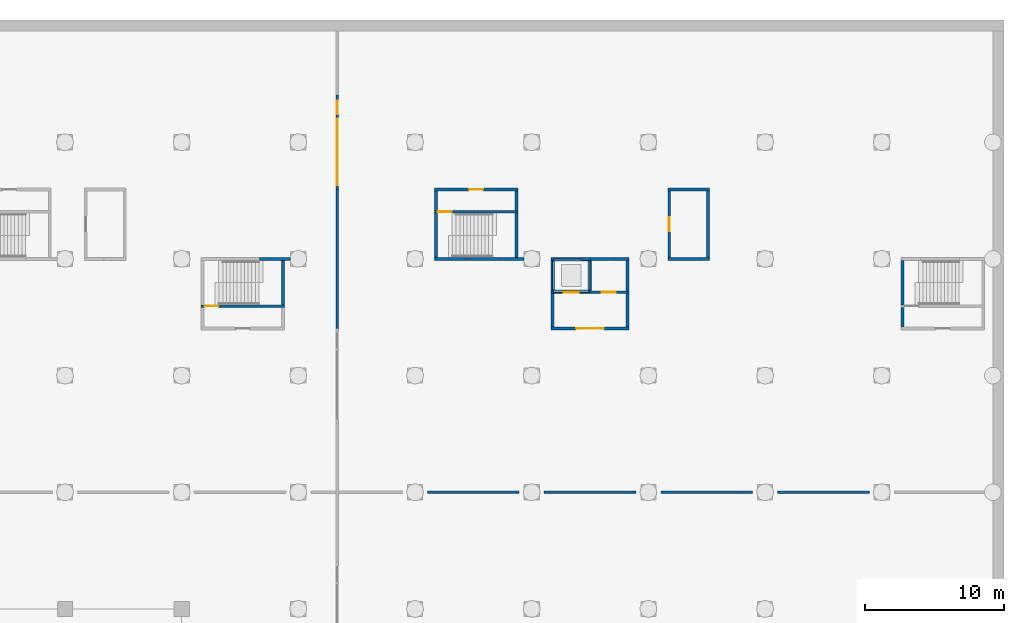
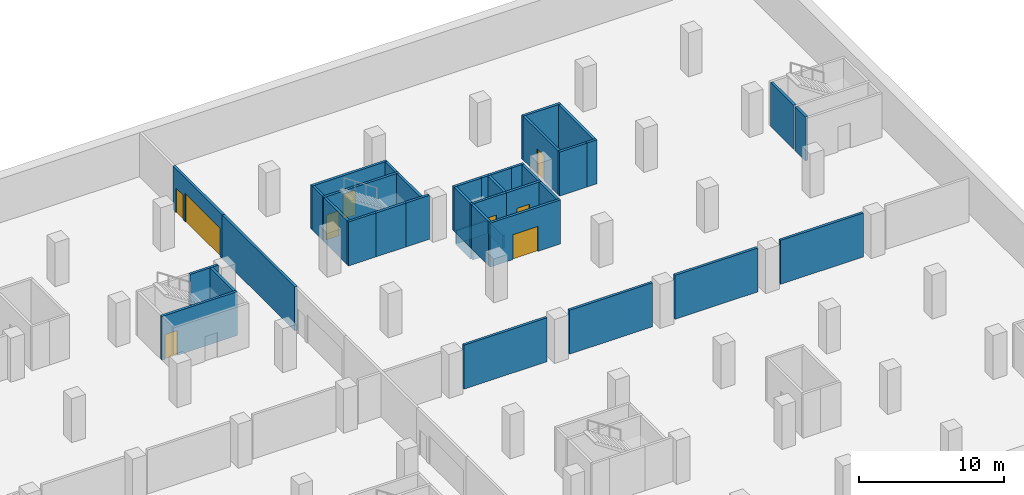
# One storey, part 11 of 19: 41 walls, 9 doors, 9 openings.
"""IFC4 building model written with IfcOpenShell, lengths in metres."""

from ifc_helpers import new_model, si_unit, direction, frame, frame_2d, origin, place, context, subcontext, project, spatial, rectangle, extrude, material, layer, layer_set, type_object, element, fill, save


model = new_model("IFC4")

# Units and contexts
model_context = context("Model", 3, precision=1e-05, world=origin(), true_north=direction((0.0, 1.0)))
body_context = subcontext(model_context, "Body", "Model", "MODEL_VIEW")
ifc_project = project(units=[si_unit("LENGTHUNIT", "METRE"), si_unit("AREAUNIT", "SQUARE_METRE"), si_unit("VOLUMEUNIT", "CUBIC_METRE"), si_unit("PLANEANGLEUNIT", "RADIAN"), si_unit("MASSUNIT", "GRAM", prefix="KILO")], contexts=[model_context])

# Site, building, storey
site_placement = place(None, origin())
site = spatial("IfcSite", under=ifc_project, at=site_placement, CompositionType="ELEMENT")
building_placement = place(site_placement, origin())
building = spatial("IfcBuilding", under=site, at=building_placement, Name="Vermilion Gate Residences", CompositionType="ELEMENT")
storey_placement = place(building_placement, frame((0.0, 0.0, -8.0)))
storey = spatial("IfcBuildingStorey", under=building, at=storey_placement, Name="B2", CompositionType="ELEMENT", Elevation=-8.0)

# Wall, opening, door
ifc_material_1 = material(Name="Concrete blockwork", Category="masonry")
ifc_layer_1 = layer(ifc_material_1, 0.199951171875)
ifc_layer_set_1 = layer_set([ifc_layer_1], Name="FIRE WALL 200 EI 120 (AMENITY)")
wall_type_1 = type_object("IfcWallType", Name="FIRE WALL 200 EI 120 (AMENITY)", PredefinedType="PARTITIONING", material=ifc_layer_set_1)
wall_1_placement = place(storey_placement, frame((102.300048828125, 84.10009765625, 0.0), z_axis=(0.0, 0.0, 1.0), x_axis=(0.0, 1.0, 0.0)))
wall_1 = element("IfcWall", 1, at=wall_1_placement, inside=storey, type_object=wall_type_1, Name="Fire-resisting wall 172", PredefinedType="PARTITIONING", context=body_context, shape_type="SweptSolid", body=[
    extrude(rectangle(XDim=4.7998046875, YDim=0.199951171875, at=frame_2d((2.39990234375, 0.0))), origin(), (0.0, 0.0, 1.0), 3.699951171875),
])
opening_1_placement = place(wall_1_placement, frame((1.89990234375, 0.0, 0.0)))
opening_1 = element("IfcOpeningElement", 2, at=opening_1_placement, cuts=wall_1, Name="Opening DMB2047", PredefinedType="OPENING", context=body_context, shape_type="SweptSolid", body=[
    extrude(rectangle(XDim=1.0, YDim=2.10009765625, at=frame_2d((0.5, 1.050048828125))), frame((0.0, 0.10986328125, 0.0), z_axis=(0.0, -1.0, 0.0), x_axis=(1.0, 0.0, 0.0)), (0.0, 0.0, 1.0), 0.219970703125),
])
ifc_material_2 = material(Name="Steel", Category="steel")
door_type_1 = type_object("IfcDoorType", Name="DOOR 1000 X 2100 FD60 (AMENITY)", OperationType="SINGLE_SWING_LEFT", PredefinedType="DOOR", material=ifc_material_2)
door_1_placement = place(opening_1_placement, origin())
door_1 = element("IfcDoor", 3, at=door_1_placement, inside=storey, type_object=door_type_1, Name="Door B2 47", OperationType="SINGLE_SWING_LEFT", OverallHeight=2.10009765625, OverallWidth=1.0, PredefinedType="DOOR", context=body_context, shape_type="SweptSolid", body=[
    extrude(rectangle(XDim=1.0, YDim=2.10009765625, at=frame_2d((0.5, 1.050048828125))), frame((0.0, 0.02490234375, 0.0), z_axis=(0.0, -1.0, 0.0), x_axis=(1.0, 0.0, 0.0)), (0.0, 0.0, 1.0), 0.050048828125),
])
fill(opening_1, door_1)

# Walls
wall_2_placement = place(storey_placement, frame((102.199951171875, 84.0, 0.0), z_axis=(0.0, 0.0, 1.0), x_axis=(1.0, 0.0, 0.0)))
element("IfcWall", 4, at=wall_2_placement, inside=storey, type_object=wall_type_1, Name="Fire-resisting wall 173", PredefinedType="PARTITIONING", context=body_context, shape_type="SweptSolid", body=[
    extrude(rectangle(XDim=2.199951171875, YDim=0.199951171875, at=frame_2d((1.10009765625, 0.0))), origin(), (0.0, 0.0, 1.0), 3.699951171875),
])
wall_3_placement = place(storey_placement, frame((102.199951171875, 89.0, 0.0), z_axis=(0.0, 0.0, 1.0), x_axis=(1.0, 0.0, 0.0)))
element("IfcWall", 5, at=wall_3_placement, inside=storey, type_object=wall_type_1, Name="Fire-resisting wall 174", PredefinedType="PARTITIONING", context=body_context, shape_type="SweptSolid", body=[
    extrude(rectangle(XDim=3.0, YDim=0.199951171875, at=frame_2d((1.5, 0.0))), origin(), (0.0, 0.0, 1.0), 3.699951171875),
])
wall_4_placement = place(storey_placement, frame((104.39990234375, 84.0, 0.0), z_axis=(0.0, 0.0, 1.0), x_axis=(1.0, 0.0, 0.0)))
element("IfcWall", 6, at=wall_4_placement, inside=storey, type_object=wall_type_1, Name="Fire-resisting wall 176", PredefinedType="PARTITIONING", context=body_context, shape_type="SweptSolid", body=[
    extrude(rectangle(XDim=0.800048828125, YDim=0.199951171875, at=frame_2d((0.39990234375, 0.0))), origin(), (0.0, 0.0, 1.0), 3.699951171875),
])
wall_5_placement = place(storey_placement, frame((105.10009765625, 84.10009765625, 0.0), z_axis=(0.0, 0.0, 1.0), x_axis=(0.0, 1.0, 0.0)))
element("IfcWall", 7, at=wall_5_placement, inside=storey, type_object=wall_type_1, Name="Fire-resisting wall 178", PredefinedType="PARTITIONING", context=body_context, shape_type="SweptSolid", body=[
    extrude(rectangle(XDim=4.7998046875, YDim=0.199951171875, at=frame_2d((2.39990234375, 0.0))), origin(), (0.0, 0.0, 1.0), 3.699951171875),
])
ifc_material_3 = material(Name="Concrete blockwork", Category="masonry")
ifc_layer_2 = layer(ifc_material_3, 0.199951171875)
ifc_layer_set_2 = layer_set([ifc_layer_2], Name="GARAGE FIRE WALL 200 EI 120 (AMENITY)")
wall_type_2 = type_object("IfcWallType", Name="GARAGE FIRE WALL 200 EI 120 (AMENITY)", PredefinedType="PARTITIONING", material=ifc_layer_set_2)
wall_6_placement = place(storey_placement, frame((78.39990234375, 79.0, 0.0), z_axis=(0.0, 0.0, 1.0), x_axis=(0.0, 1.0, 0.0)))
element("IfcWall", 8, at=wall_6_placement, inside=storey, type_object=wall_type_2, Name="Fire compartment wall", PredefinedType="PARTITIONING", context=body_context, shape_type="SweptSolid", body=[
    extrude(rectangle(XDim=10.0, YDim=0.199951171875, at=frame_2d((5.0, 0.0))), origin(), (0.0, 0.0, 1.0), 3.699951171875),
])

# Wall, openings, doors
wall_7_placement = place(storey_placement, frame((78.39990234375, 89.0, 0.0), z_axis=(0.0, 0.0, 1.0), x_axis=(0.0, 1.0, 0.0)))
wall_7 = element("IfcWall", 9, at=wall_7_placement, inside=storey, type_object=wall_type_2, Name="Fire compartment wall", PredefinedType="PARTITIONING", context=body_context, shape_type="SweptSolid", body=[
    extrude(rectangle(XDim=6.800048828125, YDim=0.199951171875, at=frame_2d((3.39990234375, 0.0))), origin(), (0.0, 0.0, 1.0), 3.699951171875),
])
opening_2_placement = place(wall_7_placement, frame((0.300048828125, 0.0, 0.0)))
opening_2 = element("IfcOpeningElement", 10, at=opening_2_placement, cuts=wall_7, Name="Opening DGB2023", PredefinedType="OPENING", context=body_context, shape_type="SweptSolid", body=[
    extrude(rectangle(XDim=4.800048828125, YDim=2.39990234375, at=frame_2d((2.39990234375, 1.199951171875))), frame((0.0, 0.10986328125, 0.0), z_axis=(0.0, -1.0, 0.0), x_axis=(1.0, 0.0, 0.0)), (0.0, 0.0, 1.0), 0.219970703125),
])
opening_3_placement = place(wall_7_placement, frame((5.39990234375, 0.0, 0.0)))
opening_3 = element("IfcOpeningElement", 11, at=opening_3_placement, cuts=wall_7, Name="Opening DGB2024", PredefinedType="OPENING", context=body_context, shape_type="SweptSolid", body=[
    extrude(rectangle(XDim=1.0, YDim=2.10009765625, at=frame_2d((0.5, 1.050048828125))), frame((0.0, 0.10986328125, 0.0), z_axis=(0.0, -1.0, 0.0), x_axis=(1.0, 0.0, 0.0)), (0.0, 0.0, 1.0), 0.219970703125),
])
ifc_material_4 = material(Name="Steel", Category="steel")
door_type_2 = type_object("IfcDoorType", Name="DOOR 1000 X 2100 FD120 (AMENITY)", OperationType="SINGLE_SWING_LEFT", PredefinedType="DOOR", material=ifc_material_4)
door_2_placement = place(opening_3_placement, frame((1.0, 0.0, 0.0), z_axis=(0.0, 0.0, 1.0), x_axis=(-1.0, 0.0, 0.0)))
door_2 = element("IfcDoor", 12, at=door_2_placement, inside=storey, type_object=door_type_2, Name="Fire door", OperationType="SINGLE_SWING_RIGHT", OverallHeight=2.10009765625, OverallWidth=1.0, PredefinedType="DOOR", context=body_context, shape_type="SweptSolid", body=[
    extrude(rectangle(XDim=1.0, YDim=2.10009765625, at=frame_2d((0.5, 1.050048828125))), frame((0.0, 0.02490234375, 0.0), z_axis=(0.0, -1.0, 0.0), x_axis=(1.0, 0.0, 0.0)), (0.0, 0.0, 1.0), 0.050048828125),
])
fill(opening_3, door_2)
ifc_material_5 = material(Name="Steel", Category="steel")
door_type_3 = type_object("IfcDoorType", Name="FIRE SHUTTER 4800 X 2400 (AMENITY)", OperationType="ROLLINGUP", PredefinedType="GATE", material=ifc_material_5)
door_3_placement = place(opening_2_placement, origin())
door_3 = element("IfcDoor", 13, at=door_3_placement, inside=storey, type_object=door_type_3, Name="Fire shutter", OperationType="ROLLINGUP", OverallHeight=2.39990234375, OverallWidth=4.800048828125, PredefinedType="GATE", context=body_context, shape_type="SweptSolid", body=[
    extrude(rectangle(XDim=4.800048828125, YDim=2.39990234375, at=frame_2d((2.39990234375, 1.199951171875))), frame((0.0, 0.02490234375, 0.0), z_axis=(0.0, -1.0, 0.0), x_axis=(1.0, 0.0, 0.0)), (0.0, 0.0, 1.0), 0.050048828125),
])
fill(opening_2, door_3)

# Walls
wall_8_placement = place(storey_placement, frame((84.89990234375, 67.199951171875, 0.0), z_axis=(0.0, 0.0, 1.0), x_axis=(1.0, 0.0, 0.0)))
element("IfcWall", 14, at=wall_8_placement, inside=storey, type_object=wall_type_2, Name="Fire compartment wall", PredefinedType="PARTITIONING", context=body_context, shape_type="SweptSolid", body=[
    extrude(rectangle(XDim=6.60009765625, YDim=0.199951171875, at=frame_2d((3.300048828125, 0.0))), origin(), (0.0, 0.0, 1.0), 3.699951171875),
])
wall_9_placement = place(storey_placement, frame((93.300048828125, 67.199951171875, 0.0), z_axis=(0.0, 0.0, 1.0), x_axis=(1.0, 0.0, 0.0)))
element("IfcWall", 15, at=wall_9_placement, inside=storey, type_object=wall_type_2, Name="Fire compartment wall", PredefinedType="PARTITIONING", context=body_context, shape_type="SweptSolid", body=[
    extrude(rectangle(XDim=6.599853515625, YDim=0.199951171875, at=frame_2d((3.2998046875, 0.0))), origin(), (0.0, 0.0, 1.0), 3.699951171875),
])
wall_10_placement = place(storey_placement, frame((101.699951171875, 67.199951171875, 0.0), z_axis=(0.0, 0.0, 1.0), x_axis=(1.0, 0.0, 0.0)))
element("IfcWall", 16, at=wall_10_placement, inside=storey, type_object=wall_type_2, Name="Fire compartment wall", PredefinedType="PARTITIONING", context=body_context, shape_type="SweptSolid", body=[
    extrude(rectangle(XDim=6.60009765625, YDim=0.199951171875, at=frame_2d((3.300048828125, 0.0))), origin(), (0.0, 0.0, 1.0), 3.699951171875),
])
wall_11_placement = place(storey_placement, frame((110.10009765625, 67.199951171875, 0.0), z_axis=(0.0, 0.0, 1.0), x_axis=(1.0, 0.0, 0.0)))
element("IfcWall", 17, at=wall_11_placement, inside=storey, type_object=wall_type_2, Name="Fire compartment wall", PredefinedType="PARTITIONING", context=body_context, shape_type="SweptSolid", body=[
    extrude(rectangle(XDim=6.599853515625, YDim=0.199951171875, at=frame_2d((3.2998046875, 0.0))), origin(), (0.0, 0.0, 1.0), 3.699951171875),
])
ifc_material_6 = material(Name="Concrete C40", Category="concrete")
ifc_layer_3 = layer(ifc_material_6, 0.14990234375)
ifc_layer_set_3 = layer_set([ifc_layer_3], Name="LIFT PIT WALL 150 (AMENITY)")
wall_type_3 = type_object("IfcWallType", Name="LIFT PIT WALL 150 (AMENITY)", PredefinedType="SOLIDWALL", material=ifc_layer_set_3)
for number, where, z_axis, x_axis, name in (
    (18, (93.97509765625, 81.675048828125, -1.10009765625), (0.0, 0.0, 1.0), (1.0, 0.0, 0.0), "Lift pit wall G2.1"),
    (19, (93.97509765625, 83.925048828125, -1.10009765625), (0.0, 0.0, 1.0), (1.0, 0.0, 0.0), "Lift pit wall G2.1"),
):
    element("IfcWall", number, at=place(storey_placement, frame(where, z_axis=z_axis, x_axis=x_axis)), inside=storey, type_object=wall_type_3, Name=name, PredefinedType="SOLIDWALL", context=body_context, shape_type="SweptSolid", body=[
        extrude(rectangle(XDim=2.5498046875, YDim=0.14990234375, at=frame_2d((1.27490234375, 0.0))), origin(), (0.0, 0.0, 1.0), 1.10009765625),
    ])
for number, where, z_axis, x_axis, name in (
    (20, (93.97509765625, 81.75, -1.10009765625), (0.0, 0.0, 1.0), (0.0, 1.0, 0.0), "Lift pit wall G2.1"),
    (21, (96.52490234375, 81.75, -1.10009765625), (0.0, 0.0, 1.0), (0.0, 1.0, 0.0), "Lift pit wall G2.1"),
):
    element("IfcWall", number, at=place(storey_placement, frame(where, z_axis=z_axis, x_axis=x_axis)), inside=storey, type_object=wall_type_3, Name=name, PredefinedType="SOLIDWALL", context=body_context, shape_type="SweptSolid", body=[
        extrude(rectangle(XDim=2.10009765625, YDim=0.14990234375, at=frame_2d((1.050048828125, 0.0))), origin(), (0.0, 0.0, 1.0), 1.10009765625),
    ])

# Wall, opening, door
ifc_material_7 = material(Name="Concrete C40", Category="concrete")
ifc_layer_4 = layer(ifc_material_7, 0.199951171875)
ifc_layer_set_4 = layer_set([ifc_layer_4], Name="RC STAIR AND SHAFT WALL 200 EI 180 C40 (AMENITY)")
wall_type_4 = type_object("IfcWallType", Name="RC STAIR AND SHAFT WALL 200 EI 180 C40 (AMENITY)", PredefinedType="SOLIDWALL", material=ifc_layer_set_4)
wall_12_placement = place(storey_placement, frame((68.60009765625, 80.60009765625, 0.0), z_axis=(0.0, 0.0, 1.0), x_axis=(1.0, 0.0, 0.0)))
wall_12 = element("IfcWall", 22, at=wall_12_placement, inside=storey, type_object=wall_type_4, Name="Stair and shaft wall 129", PredefinedType="SOLIDWALL", context=body_context, shape_type="SweptSolid", body=[
    extrude(rectangle(XDim=6.0, YDim=0.199951171875, at=frame_2d((3.0, 0.0))), origin(), (0.0, 0.0, 1.0), 3.699951171875),
])
opening_4_placement = place(wall_12_placement, frame((0.25, 0.0, 0.0)))
opening_4 = element("IfcOpeningElement", 23, at=opening_4_placement, cuts=wall_12, Name="Opening DMB2026", PredefinedType="OPENING", context=body_context, shape_type="SweptSolid", body=[
    extrude(rectangle(XDim=1.0, YDim=2.10009765625, at=frame_2d((0.5, 1.050048828125))), frame((0.0, 0.10986328125, 0.0), z_axis=(0.0, -1.0, 0.0), x_axis=(1.0, 0.0, 0.0)), (0.0, 0.0, 1.0), 0.219970703125),
])
door_4_placement = place(opening_4_placement, origin())
door_4 = element("IfcDoor", 24, at=door_4_placement, inside=storey, type_object=door_type_1, Name="Door B2 26", OperationType="SINGLE_SWING_RIGHT", OverallHeight=2.10009765625, OverallWidth=1.0, PredefinedType="DOOR", context=body_context, shape_type="SweptSolid", body=[
    extrude(rectangle(XDim=1.0, YDim=2.10009765625, at=frame_2d((0.5, 1.050048828125))), frame((0.0, 0.02490234375, 0.0), z_axis=(0.0, -1.0, 0.0), x_axis=(1.0, 0.0, 0.0)), (0.0, 0.0, 1.0), 0.050048828125),
])
fill(opening_4, door_4)

# Walls
wall_13_placement = place(storey_placement, frame((72.800048828125, 84.0, 0.0), z_axis=(0.0, 0.0, 1.0), x_axis=(1.0, 0.0, 0.0)))
element("IfcWall", 25, at=wall_13_placement, inside=storey, type_object=wall_type_4, Name="Stair and shaft wall 133", PredefinedType="SOLIDWALL", context=body_context, shape_type="SweptSolid", body=[
    extrude(rectangle(XDim=2.25, YDim=0.199951171875, at=frame_2d((1.125, 0.0))), origin(), (0.0, 0.0, 1.0), 3.699951171875),
])
for number, where, z_axis, x_axis, name in (
    (26, (74.5, 80.699951171875, 0.0), (0.0, 0.0, 1.0), (0.0, 1.0, 0.0), "Stair and shaft wall 138"),
    (27, (85.5, 84.10009765625, 0.0), (0.0, 0.0, 1.0), (0.0, 1.0, 0.0), "Stair and shaft wall 144"),
):
    element("IfcWall", number, at=place(storey_placement, frame(where, z_axis=z_axis, x_axis=x_axis)), inside=storey, type_object=wall_type_4, Name=name, PredefinedType="SOLIDWALL", context=body_context, shape_type="SweptSolid", body=[
        extrude(rectangle(XDim=3.199951171875, YDim=0.199951171875, at=frame_2d((1.60009765625, 0.0))), origin(), (0.0, 0.0, 1.0), 3.699951171875),
    ])
wall_14_placement = place(storey_placement, frame((85.39990234375, 84.0, 0.0), z_axis=(0.0, 0.0, 1.0), x_axis=(1.0, 0.0, 0.0)))
element("IfcWall", 28, at=wall_14_placement, inside=storey, type_object=wall_type_4, Name="Stair and shaft wall 145", PredefinedType="SOLIDWALL", context=body_context, shape_type="SweptSolid", body=[
    extrude(rectangle(XDim=2.2001953125, YDim=0.199951171875, at=frame_2d((1.10009765625, 0.0))), origin(), (0.0, 0.0, 1.0), 3.699951171875),
])
wall_15_placement = place(storey_placement, frame((85.5, 87.5, 0.0), z_axis=(0.0, 0.0, 1.0), x_axis=(0.0, 1.0, 0.0)))
element("IfcWall", 29, at=wall_15_placement, inside=storey, type_object=wall_type_4, Name="Stair and shaft wall 146", PredefinedType="SOLIDWALL", context=body_context, shape_type="SweptSolid", body=[
    extrude(rectangle(XDim=1.39990234375, YDim=0.199951171875, at=frame_2d((0.699951171875, 0.0))), origin(), (0.0, 0.0, 1.0), 3.699951171875),
])

# Wall, opening, door
wall_16_placement = place(storey_placement, frame((85.39990234375, 87.39990234375, 0.0), z_axis=(0.0, 0.0, 1.0), x_axis=(1.0, 0.0, 0.0)))
wall_16 = element("IfcWall", 30, at=wall_16_placement, inside=storey, type_object=wall_type_4, Name="Stair and shaft wall 147", PredefinedType="SOLIDWALL", context=body_context, shape_type="SweptSolid", body=[
    extrude(rectangle(XDim=6.0, YDim=0.199951171875, at=frame_2d((3.0, 0.0))), origin(), (0.0, 0.0, 1.0), 3.699951171875),
])
opening_5_placement = place(wall_16_placement, frame((0.25, 0.0, 0.0)))
opening_5 = element("IfcOpeningElement", 31, at=opening_5_placement, cuts=wall_16, Name="Opening DMB2032", PredefinedType="OPENING", context=body_context, shape_type="SweptSolid", body=[
    extrude(rectangle(XDim=1.0, YDim=2.10009765625, at=frame_2d((0.5, 1.050048828125))), frame((0.0, 0.10986328125, 0.0), z_axis=(0.0, -1.0, 0.0), x_axis=(1.0, 0.0, 0.0)), (0.0, 0.0, 1.0), 0.219970703125),
])
door_5_placement = place(opening_5_placement, frame((1.0, 0.0, 0.0), z_axis=(0.0, 0.0, 1.0), x_axis=(-1.0, 0.0, 0.0)))
door_5 = element("IfcDoor", 32, at=door_5_placement, inside=storey, type_object=door_type_1, Name="Door B2 32", OperationType="SINGLE_SWING_LEFT", OverallHeight=2.10009765625, OverallWidth=1.0, PredefinedType="DOOR", context=body_context, shape_type="SweptSolid", body=[
    extrude(rectangle(XDim=1.0, YDim=2.10009765625, at=frame_2d((0.5, 1.050048828125))), frame((0.0, 0.02490234375, 0.0), z_axis=(0.0, -1.0, 0.0), x_axis=(1.0, 0.0, 0.0)), (0.0, 0.0, 1.0), 0.050048828125),
])
fill(opening_5, door_5)

wall_17_placement = place(storey_placement, frame((85.39990234375, 89.0, 0.0), z_axis=(0.0, 0.0, 1.0), x_axis=(1.0, 0.0, 0.0)))
wall_17 = element("IfcWall", 33, at=wall_17_placement, inside=storey, type_object=wall_type_4, Name="Stair and shaft wall 148", PredefinedType="SOLIDWALL", context=body_context, shape_type="SweptSolid", body=[
    extrude(rectangle(XDim=6.0, YDim=0.199951171875, at=frame_2d((3.0, 0.0))), origin(), (0.0, 0.0, 1.0), 3.699951171875),
])
opening_6_placement = place(wall_17_placement, frame((2.5, 0.0, 0.0)))
opening_6 = element("IfcOpeningElement", 34, at=opening_6_placement, cuts=wall_17, Name="Opening DMB2031", PredefinedType="OPENING", context=body_context, shape_type="SweptSolid", body=[
    extrude(rectangle(XDim=1.0, YDim=2.10009765625, at=frame_2d((0.5, 1.050048828125))), frame((0.0, 0.10986328125, 0.0), z_axis=(0.0, -1.0, 0.0), x_axis=(1.0, 0.0, 0.0)), (0.0, 0.0, 1.0), 0.219970703125),
])
door_6_placement = place(opening_6_placement, origin())
door_6 = element("IfcDoor", 35, at=door_6_placement, inside=storey, type_object=door_type_1, Name="Door B2 31", OperationType="SINGLE_SWING_LEFT", OverallHeight=2.10009765625, OverallWidth=1.0, PredefinedType="DOOR", context=body_context, shape_type="SweptSolid", body=[
    extrude(rectangle(XDim=1.0, YDim=2.10009765625, at=frame_2d((0.5, 1.050048828125))), frame((0.0, 0.02490234375, 0.0), z_axis=(0.0, -1.0, 0.0), x_axis=(1.0, 0.0, 0.0)), (0.0, 0.0, 1.0), 0.050048828125),
])
fill(opening_6, door_6)

# Walls
wall_18_placement = place(storey_placement, frame((87.60009765625, 84.0, 0.0), z_axis=(0.0, 0.0, 1.0), x_axis=(1.0, 0.0, 0.0)))
element("IfcWall", 36, at=wall_18_placement, inside=storey, type_object=wall_type_4, Name="Stair and shaft wall 150", PredefinedType="SOLIDWALL", context=body_context, shape_type="SweptSolid", body=[
    extrude(rectangle(XDim=2.39990234375, YDim=0.199951171875, at=frame_2d((1.199951171875, 0.0))), origin(), (0.0, 0.0, 1.0), 3.699951171875),
])
wall_19_placement = place(storey_placement, frame((90.0, 84.0, 0.0), z_axis=(0.0, 0.0, 1.0), x_axis=(1.0, 0.0, 0.0)))
element("IfcWall", 37, at=wall_19_placement, inside=storey, type_object=wall_type_4, Name="Stair and shaft wall 152", PredefinedType="SOLIDWALL", context=body_context, shape_type="SweptSolid", body=[
    extrude(rectangle(XDim=1.85009765625, YDim=0.199951171875, at=frame_2d((0.925048828125, 0.0))), origin(), (0.0, 0.0, 1.0), 3.699951171875),
])
wall_20_placement = place(storey_placement, frame((91.300048828125, 84.10009765625, 0.0), z_axis=(0.0, 0.0, 1.0), x_axis=(0.0, 1.0, 0.0)))
element("IfcWall", 38, at=wall_20_placement, inside=storey, type_object=wall_type_4, Name="Stair and shaft wall 155", PredefinedType="SOLIDWALL", context=body_context, shape_type="SweptSolid", body=[
    extrude(rectangle(XDim=3.199951171875, YDim=0.199951171875, at=frame_2d((1.60009765625, 0.0))), origin(), (0.0, 0.0, 1.0), 3.699951171875),
])
wall_21_placement = place(storey_placement, frame((91.300048828125, 87.5, 0.0), z_axis=(0.0, 0.0, 1.0), x_axis=(0.0, 1.0, 0.0)))
element("IfcWall", 39, at=wall_21_placement, inside=storey, type_object=wall_type_4, Name="Stair and shaft wall 156", PredefinedType="SOLIDWALL", context=body_context, shape_type="SweptSolid", body=[
    extrude(rectangle(XDim=1.39990234375, YDim=0.199951171875, at=frame_2d((0.699951171875, 0.0))), origin(), (0.0, 0.0, 1.0), 3.699951171875),
])
wall_22_placement = place(storey_placement, frame((93.89990234375, 79.10009765625, 0.0), z_axis=(0.0, 0.0, 1.0), x_axis=(0.0, 1.0, 0.0)))
element("IfcWall", 40, at=wall_22_placement, inside=storey, type_object=wall_type_4, Name="Stair and shaft wall 157", PredefinedType="SOLIDWALL", context=body_context, shape_type="SweptSolid", body=[
    extrude(rectangle(XDim=2.39990234375, YDim=0.199951171875, at=frame_2d((1.199951171875, 0.0))), origin(), (0.0, 0.0, 1.0), 3.699951171875),
])

# Wall, opening, door
wall_23_placement = place(storey_placement, frame((93.800048828125, 79.0, 0.0), z_axis=(0.0, 0.0, 1.0), x_axis=(1.0, 0.0, 0.0)))
wall_23 = element("IfcWall", 41, at=wall_23_placement, inside=storey, type_object=wall_type_4, Name="Stair and shaft wall 158", PredefinedType="SOLIDWALL", context=body_context, shape_type="SweptSolid", body=[
    extrude(rectangle(XDim=5.599853515625, YDim=0.199951171875, at=frame_2d((2.7998046875, 0.0))), origin(), (0.0, 0.0, 1.0), 3.699951171875),
])
opening_7_placement = place(wall_23_placement, frame((1.800048828125, 0.0, 0.0)))
opening_7 = element("IfcOpeningElement", 42, at=opening_7_placement, cuts=wall_23, Name="Opening DMB2040", PredefinedType="OPENING", context=body_context, shape_type="SweptSolid", body=[
    extrude(rectangle(XDim=2.0, YDim=2.10009765625, at=frame_2d((1.0, 1.050048828125))), frame((0.0, 0.10986328125, 0.0), z_axis=(0.0, -1.0, 0.0), x_axis=(1.0, 0.0, 0.0)), (0.0, 0.0, 1.0), 0.219970703125),
])
ifc_material_8 = material(Name="Steel", Category="steel")
door_type_4 = type_object("IfcDoorType", Name="DOUBLE DOOR 2000 X 2100 FD60 (AMENITY)", OperationType="DOUBLE_DOOR_SINGLE_SWING", PredefinedType="DOOR", material=ifc_material_8)
door_7_placement = place(opening_7_placement, frame((2.0, 0.0, 0.0), z_axis=(0.0, 0.0, 1.0), x_axis=(-1.0, 0.0, 0.0)))
door_7 = element("IfcDoor", 43, at=door_7_placement, inside=storey, type_object=door_type_4, Name="Door B2 40", OperationType="DOUBLE_DOOR_SINGLE_SWING", OverallHeight=2.10009765625, OverallWidth=2.0, PredefinedType="DOOR", context=body_context, shape_type="SweptSolid", body=[
    extrude(rectangle(XDim=2.0, YDim=2.10009765625, at=frame_2d((1.0, 1.050048828125))), frame((0.0, 0.02490234375, 0.0), z_axis=(0.0, -1.0, 0.0), x_axis=(1.0, 0.0, 0.0)), (0.0, 0.0, 1.0), 0.050048828125),
])
fill(opening_7, door_7)

# Wall
wall_24_placement = place(storey_placement, frame((93.89990234375, 81.699951171875, 0.0), z_axis=(0.0, 0.0, 1.0), x_axis=(0.0, 1.0, 0.0)))
element("IfcWall", 44, at=wall_24_placement, inside=storey, type_object=wall_type_4, Name="Stair and shaft wall 159", PredefinedType="SOLIDWALL", context=body_context, shape_type="SweptSolid", body=[
    extrude(rectangle(XDim=2.199951171875, YDim=0.199951171875, at=frame_2d((1.10009765625, 0.0))), origin(), (0.0, 0.0, 1.0), 3.699951171875),
])

# Wall, opening, door
wall_25_placement = place(storey_placement, frame((93.800048828125, 81.60009765625, 0.0), z_axis=(0.0, 0.0, 1.0), x_axis=(1.0, 0.0, 0.0)))
wall_25 = element("IfcWall", 45, at=wall_25_placement, inside=storey, type_object=wall_type_4, Name="Stair and shaft wall 160", PredefinedType="SOLIDWALL", context=body_context, shape_type="SweptSolid", body=[
    extrude(rectangle(XDim=2.800048828125, YDim=0.199951171875, at=frame_2d((1.39990234375, 0.0))), origin(), (0.0, 0.0, 1.0), 3.699951171875),
])
opening_8_placement = place(wall_25_placement, frame((0.89990234375, 0.0, 0.0)))
opening_8 = element("IfcOpeningElement", 46, at=opening_8_placement, cuts=wall_25, Name="Opening LD", PredefinedType="OPENING", context=body_context, shape_type="SweptSolid", body=[
    extrude(rectangle(XDim=1.10009765625, YDim=2.10009765625, at=frame_2d((0.550048828125, 1.050048828125))), frame((0.0, 0.10986328125, 0.0), z_axis=(0.0, -1.0, 0.0), x_axis=(1.0, 0.0, 0.0)), (0.0, 0.0, 1.0), 0.219970703125),
])
ifc_material_9 = material(Name="Stainless steel", Category="steel")
door_type_5 = type_object("IfcDoorType", Name="LIFT LANDING DOOR 1100 X 2100 (AMENITY)", OperationType="SLIDING_TO_LEFT", PredefinedType="DOOR", material=ifc_material_9)
door_8_placement = place(opening_8_placement, origin())
door_8 = element("IfcDoor", 47, at=door_8_placement, inside=storey, type_object=door_type_5, Name="Lift landing door", OperationType="SLIDING_TO_LEFT", OverallHeight=2.10009765625, OverallWidth=1.10009765625, PredefinedType="DOOR", context=body_context, shape_type="SweptSolid", body=[
    extrude(rectangle(XDim=1.10009765625, YDim=2.10009765625, at=frame_2d((0.550048828125, 1.050048828125))), frame((0.0, 0.02490234375, 0.0), z_axis=(0.0, -1.0, 0.0), x_axis=(1.0, 0.0, 0.0)), (0.0, 0.0, 1.0), 0.050048828125),
])
fill(opening_8, door_8)

# Walls
wall_26_placement = place(storey_placement, frame((93.800048828125, 84.0, 0.0), z_axis=(0.0, 0.0, 1.0), x_axis=(1.0, 0.0, 0.0)))
element("IfcWall", 48, at=wall_26_placement, inside=storey, type_object=wall_type_4, Name="Stair and shaft wall 161", PredefinedType="SOLIDWALL", context=body_context, shape_type="SweptSolid", body=[
    extrude(rectangle(XDim=2.199951171875, YDim=0.199951171875, at=frame_2d((1.10009765625, 0.0))), origin(), (0.0, 0.0, 1.0), 3.699951171875),
])
wall_27_placement = place(storey_placement, frame((96.0, 84.0, 0.0), z_axis=(0.0, 0.0, 1.0), x_axis=(1.0, 0.0, 0.0)))
element("IfcWall", 49, at=wall_27_placement, inside=storey, type_object=wall_type_4, Name="Stair and shaft wall 162", PredefinedType="SOLIDWALL", context=body_context, shape_type="SweptSolid", body=[
    extrude(rectangle(XDim=0.60009765625, YDim=0.199951171875, at=frame_2d((0.300048828125, 0.0))), origin(), (0.0, 0.0, 1.0), 3.699951171875),
])
wall_28_placement = place(storey_placement, frame((96.60009765625, 81.699951171875, 0.0), z_axis=(0.0, 0.0, 1.0), x_axis=(0.0, 1.0, 0.0)))
element("IfcWall", 50, at=wall_28_placement, inside=storey, type_object=wall_type_4, Name="Stair and shaft wall 163", PredefinedType="SOLIDWALL", context=body_context, shape_type="SweptSolid", body=[
    extrude(rectangle(XDim=2.199951171875, YDim=0.199951171875, at=frame_2d((1.10009765625, 0.0))), origin(), (0.0, 0.0, 1.0), 3.699951171875),
])

# Wall, opening, door
wall_29_placement = place(storey_placement, frame((96.60009765625, 81.60009765625, 0.0), z_axis=(0.0, 0.0, 1.0), x_axis=(1.0, 0.0, 0.0)))
wall_29 = element("IfcWall", 51, at=wall_29_placement, inside=storey, type_object=wall_type_4, Name="Stair and shaft wall 164", PredefinedType="SOLIDWALL", context=body_context, shape_type="SweptSolid", body=[
    extrude(rectangle(XDim=2.7998046875, YDim=0.199951171875, at=frame_2d((1.39990234375, 0.0))), origin(), (0.0, 0.0, 1.0), 3.699951171875),
])
opening_9_placement = place(wall_29_placement, frame((0.85009765625, 0.0, 0.0)))
opening_9 = element("IfcOpeningElement", 52, at=opening_9_placement, cuts=wall_29, Name="Opening DMB2042", PredefinedType="OPENING", context=body_context, shape_type="SweptSolid", body=[
    extrude(rectangle(XDim=1.0, YDim=2.10009765625, at=frame_2d((0.5, 1.050048828125))), frame((0.0, 0.10986328125, 0.0), z_axis=(0.0, -1.0, 0.0), x_axis=(1.0, 0.0, 0.0)), (0.0, 0.0, 1.0), 0.219970703125),
])
door_9_placement = place(opening_9_placement, origin())
door_9 = element("IfcDoor", 53, at=door_9_placement, inside=storey, type_object=door_type_1, Name="Door B2 42", OperationType="SINGLE_SWING_LEFT", OverallHeight=2.10009765625, OverallWidth=1.0, PredefinedType="DOOR", context=body_context, shape_type="SweptSolid", body=[
    extrude(rectangle(XDim=1.0, YDim=2.10009765625, at=frame_2d((0.5, 1.050048828125))), frame((0.0, 0.02490234375, 0.0), z_axis=(0.0, -1.0, 0.0), x_axis=(1.0, 0.0, 0.0)), (0.0, 0.0, 1.0), 0.050048828125),
])
fill(opening_9, door_9)

# Walls
wall_30_placement = place(storey_placement, frame((96.60009765625, 84.0, 0.0), z_axis=(0.0, 0.0, 1.0), x_axis=(1.0, 0.0, 0.0)))
element("IfcWall", 54, at=wall_30_placement, inside=storey, type_object=wall_type_4, Name="Stair and shaft wall 165", PredefinedType="SOLIDWALL", context=body_context, shape_type="SweptSolid", body=[
    extrude(rectangle(XDim=1.7998046875, YDim=0.199951171875, at=frame_2d((0.89990234375, 0.0))), origin(), (0.0, 0.0, 1.0), 3.699951171875),
])
wall_31_placement = place(storey_placement, frame((98.39990234375, 84.0, 0.0), z_axis=(0.0, 0.0, 1.0), x_axis=(1.0, 0.0, 0.0)))
element("IfcWall", 55, at=wall_31_placement, inside=storey, type_object=wall_type_4, Name="Stair and shaft wall 166", PredefinedType="SOLIDWALL", context=body_context, shape_type="SweptSolid", body=[
    extrude(rectangle(XDim=1.0, YDim=0.199951171875, at=frame_2d((0.5, 0.0))), origin(), (0.0, 0.0, 1.0), 3.699951171875),
])
wall_32_placement = place(storey_placement, frame((99.300048828125, 79.10009765625, 0.0), z_axis=(0.0, 0.0, 1.0), x_axis=(0.0, 1.0, 0.0)))
element("IfcWall", 56, at=wall_32_placement, inside=storey, type_object=wall_type_4, Name="Stair and shaft wall 167", PredefinedType="SOLIDWALL", context=body_context, shape_type="SweptSolid", body=[
    extrude(rectangle(XDim=2.39990234375, YDim=0.199951171875, at=frame_2d((1.199951171875, 0.0))), origin(), (0.0, 0.0, 1.0), 3.699951171875),
])
wall_33_placement = place(storey_placement, frame((99.300048828125, 81.699951171875, 0.0), z_axis=(0.0, 0.0, 1.0), x_axis=(0.0, 1.0, 0.0)))
element("IfcWall", 57, at=wall_33_placement, inside=storey, type_object=wall_type_4, Name="Stair and shaft wall 168", PredefinedType="SOLIDWALL", context=body_context, shape_type="SweptSolid", body=[
    extrude(rectangle(XDim=2.199951171875, YDim=0.199951171875, at=frame_2d((1.10009765625, 0.0))), origin(), (0.0, 0.0, 1.0), 3.699951171875),
])
wall_34_placement = place(storey_placement, frame((119.10009765625, 79.10009765625, 0.0), z_axis=(0.0, 0.0, 1.0), x_axis=(0.0, 1.0, 0.0)))
element("IfcWall", 58, at=wall_34_placement, inside=storey, type_object=wall_type_4, Name="Stair and shaft wall 184", PredefinedType="SOLIDWALL", context=body_context, shape_type="SweptSolid", body=[
    extrude(rectangle(XDim=1.39990234375, YDim=0.199951171875, at=frame_2d((0.699951171875, 0.0))), origin(), (0.0, 0.0, 1.0), 3.699951171875),
])
wall_35_placement = place(storey_placement, frame((119.10009765625, 80.699951171875, 0.0), z_axis=(0.0, 0.0, 1.0), x_axis=(0.0, 1.0, 0.0)))
element("IfcWall", 59, at=wall_35_placement, inside=storey, type_object=wall_type_4, Name="Stair and shaft wall 186", PredefinedType="SOLIDWALL", context=body_context, shape_type="SweptSolid", body=[
    extrude(rectangle(XDim=3.199951171875, YDim=0.199951171875, at=frame_2d((1.60009765625, 0.0))), origin(), (0.0, 0.0, 1.0), 3.699951171875),
])

save(model, "model.ifc")
